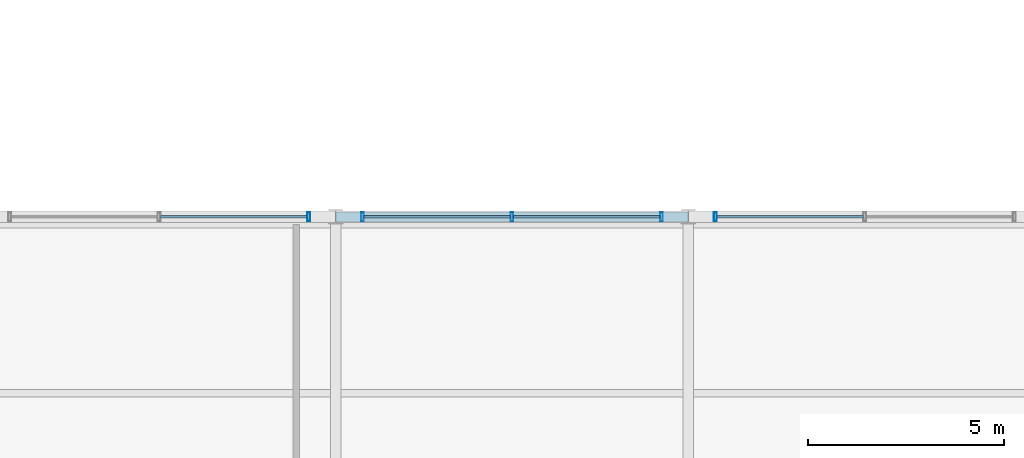
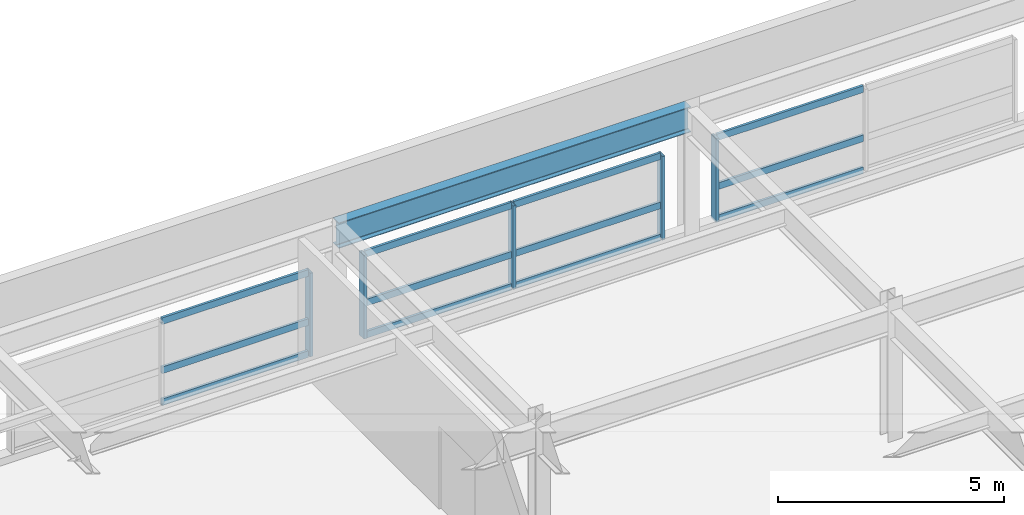
# One storey, part 62 of 108: 17 members, 1 beam, 3 elements without a shape of their own.
"""IFC4 building model written with IfcOpenShell, lengths in metres."""

from ifc_helpers import new_model, si_unit, direction, frame, origin, origin_2d, place, context, subcontext, project, spatial, hollow_rectangle, i_section, extrude, material, material_profile, profile_set, type_object, element, aggregate, save


model = new_model("IFC4")

# Units and contexts
model_context = context("Model", 3, precision=1e-05, world=origin(), true_north=direction((0.0, 1.0)))
body_context = subcontext(model_context, "Body", "Model", "MODEL_VIEW")
ifc_project = project(units=[si_unit("LENGTHUNIT", "METRE"), si_unit("AREAUNIT", "SQUARE_METRE"), si_unit("VOLUMEUNIT", "CUBIC_METRE"), si_unit("PLANEANGLEUNIT", "RADIAN"), si_unit("MASSUNIT", "GRAM", prefix="KILO")], contexts=[model_context])

# Site, building, storey
site_placement = place(None, origin())
site = spatial("IfcSite", under=ifc_project, at=site_placement, CompositionType="ELEMENT")
building_placement = place(site_placement, origin())
building = spatial("IfcBuilding", under=site, at=building_placement, Name="Kaldorvane Square Convention Centre", CompositionType="ELEMENT")
storey_placement = place(building_placement, frame((0.0, 0.0, 23.399993896484375)))
storey = spatial("IfcBuildingStorey", under=building, at=storey_placement, Name="L04", CompositionType="ELEMENT", Elevation=23.399993896484375)

# Beam
ifc_material_1 = material(Name="Steel ASTM A992 Gr. 50", Category="steel")
ifc_material_profile_1 = material_profile(ifc_material_1, i_section(OverallWidth=0.25439453125, OverallDepth=0.6880950927734375, WebThickness=0.0131072998046875, FlangeThickness=0.0211029052734375, FilletRadius=0.01519775390625, at=origin_2d()), Name="W27X102")
ifc_profile_set_1 = profile_set([ifc_material_profile_1], Name="Steel ASTM A992 Gr. 50")
beam_type = type_object("IfcBeamType", Name="BM-GR-W27X102", PredefinedType="BEAM", material=ifc_profile_set_1)
beam_placement = place(storey_placement, frame((147.0, 36.0, 3.1819000244140625), z_axis=(1.0, 0.0, 0.0), x_axis=(0.0, 1.0, 0.0)))
element("IfcBeam", 1, at=beam_placement, inside=storey, type_object=beam_type, Name="Primary Girder (L04)", PredefinedType="BEAM", context=body_context, shape_type="SweptSolid", body=[
    extrude(i_section(OverallWidth=0.25439453125, OverallDepth=0.6880950927734375, WebThickness=0.0131072998046875, FlangeThickness=0.0211029052734375, FilletRadius=0.01519775390625, at=origin_2d()), origin(), (0.0, 0.0, 1.0), 9.0),
])

# Curtain wall, member
ifc_material_2 = material(Name="Anodized Aluminum and Low-E Insulated Glazing", Category="aluminium")
curtain_wall_type = type_object("IfcCurtainWallType", Name="CW-PTS-FC-42", PredefinedType="USERDEFINED", material=ifc_material_2)
curtain_wall_1_placement = place(storey_placement, origin())
curtain_wall_1 = element("IfcCurtainWall", 2, at=curtain_wall_1_placement, inside=storey, type_object=curtain_wall_type, Name="Curtain Wall CW-09 (L04)", ObjectType="POINT SUPPORTED GLAZING", PredefinedType="USERDEFINED")
ifc_material_profile_2 = material_profile(ifc_material_2, hollow_rectangle(XDim=0.0749969482421875, YDim=0.220001220703125, WallThickness=0.003997802734375, at=origin_2d()), Name="CWM-220X75")
ifc_profile_set_2 = profile_set([ifc_material_profile_2], Name="Anodized Aluminum and Low-E Insulated Glazing")
member_type_1 = type_object("IfcMemberType", Name="CW-MUL-220", PredefinedType="MULLION", material=ifc_profile_set_2)
member_1_placement = place(storey_placement, frame((146.3125, 36.0, 0.1500091552734375), z_axis=(0.0, 0.0, 1.0), x_axis=(-1.0, 0.0, 0.0)))
member_1 = element("IfcMember", 3, at=member_1_placement, type_object=member_type_1, Name="CW-09 mullion 1", PredefinedType="MULLION", context=body_context, shape_type="SweptSolid", body=[
    extrude(hollow_rectangle(XDim=0.0749969482421875, YDim=0.220001220703125, WallThickness=0.003997802734375, at=origin_2d()), origin(), (0.0, 0.0, 1.0), 2.2599945068359375),
])

# Curtain wall, members
curtain_wall_2_placement = place(storey_placement, origin())
curtain_wall_2 = element("IfcCurtainWall", 4, at=curtain_wall_2_placement, inside=storey, type_object=curtain_wall_type, Name="Curtain Wall CW-09 (L04)", ObjectType="POINT SUPPORTED GLAZING", PredefinedType="USERDEFINED")
member_2_placement = place(storey_placement, frame((155.3125, 36.0, 0.1500091552734375), z_axis=(0.0, 0.0, 1.0), x_axis=(-1.0, 0.0, 0.0)))
member_2 = element("IfcMember", 5, at=member_2_placement, type_object=member_type_1, Name="CW-09 mullion 1", PredefinedType="MULLION", context=body_context, shape_type="SweptSolid", body=[
    extrude(hollow_rectangle(XDim=0.0749969482421875, YDim=0.220001220703125, WallThickness=0.003997802734375, at=origin_2d()), origin(), (0.0, 0.0, 1.0), 2.2599945068359375),
])
member_3_placement = place(storey_placement, frame((151.5, 36.0, 0.1500091552734375), z_axis=(0.0, 0.0, 1.0), x_axis=(-1.0, 0.0, 0.0)))
member_3 = element("IfcMember", 6, at=member_3_placement, type_object=member_type_1, Name="CW-09 mullion 2", PredefinedType="MULLION", context=body_context, shape_type="SweptSolid", body=[
    extrude(hollow_rectangle(XDim=0.0749969482421875, YDim=0.220001220703125, WallThickness=0.003997802734375, at=origin_2d()), origin(), (0.0, 0.0, 1.0), 2.2599945068359375),
])
member_4_placement = place(storey_placement, frame((147.6875, 36.0, 0.1500091552734375), z_axis=(0.0, 0.0, 1.0), x_axis=(-1.0, 0.0, 0.0)))
member_4 = element("IfcMember", 7, at=member_4_placement, type_object=member_type_1, Name="CW-09 mullion 3", PredefinedType="MULLION", context=body_context, shape_type="SweptSolid", body=[
    extrude(hollow_rectangle(XDim=0.0749969482421875, YDim=0.220001220703125, WallThickness=0.003997802734375, at=origin_2d()), origin(), (0.0, 0.0, 1.0), 2.2599945068359375),
])

# Curtain wall, member
curtain_wall_3_placement = place(storey_placement, origin())
curtain_wall_3 = element("IfcCurtainWall", 8, at=curtain_wall_3_placement, inside=storey, type_object=curtain_wall_type, Name="Curtain Wall CW-09 (L04)", ObjectType="POINT SUPPORTED GLAZING", PredefinedType="USERDEFINED")
member_5_placement = place(storey_placement, frame((156.6875, 36.0, 0.1500091552734375), z_axis=(0.0, 0.0, 1.0), x_axis=(-1.0, 0.0, 0.0)))
member_5 = element("IfcMember", 9, at=member_5_placement, type_object=member_type_1, Name="CW-09 mullion 3", PredefinedType="MULLION", context=body_context, shape_type="SweptSolid", body=[
    extrude(hollow_rectangle(XDim=0.0749969482421875, YDim=0.220001220703125, WallThickness=0.003997802734375, at=origin_2d()), origin(), (0.0, 0.0, 1.0), 2.2599945068359375),
])

# Member
ifc_material_profile_3 = material_profile(ifc_material_2, hollow_rectangle(XDim=0.06500244140625, YDim=0.17999267578125, WallThickness=0.0034942626953125, at=origin_2d()), Name="CWT-180X65")
ifc_profile_set_3 = profile_set([ifc_material_profile_3], Name="Anodized Aluminum and Low-E Insulated Glazing")
member_type_2 = type_object("IfcMemberType", Name="CW-TRN-180", PredefinedType="USERDEFINED", material=ifc_profile_set_3)
member_6_placement = place(storey_placement, frame((146.27499389648438, 36.0, 0.1825103759765625), z_axis=(-1.0, 0.0, 0.0), x_axis=(0.0, -1.0, 0.0)))
member_6 = element("IfcMember", 10, at=member_6_placement, type_object=member_type_2, Name="CW-09 transom 1.1", ObjectType="TRANSOM", PredefinedType="USERDEFINED", context=body_context, shape_type="SweptSolid", body=[
    extrude(hollow_rectangle(XDim=0.06500244140625, YDim=0.17999267578125, WallThickness=0.0034942626953125, at=origin_2d()), origin(), (0.0, 0.0, 1.0), 3.73748779296875),
])

member_7_placement = place(storey_placement, frame((146.27499389648438, 36.0, 1.0500030517578125), z_axis=(-1.0, 0.0, 0.0), x_axis=(0.0, -1.0, 0.0)))
member_7 = element("IfcMember", 11, at=member_7_placement, type_object=member_type_2, Name="CW-09 transom 1.2", ObjectType="TRANSOM", PredefinedType="USERDEFINED", context=body_context, shape_type="SweptSolid", body=[
    extrude(hollow_rectangle(XDim=0.06500244140625, YDim=0.17999267578125, WallThickness=0.0034942626953125, at=origin_2d()), origin(), (0.0, 0.0, 1.0), 3.73748779296875),
])

member_8_placement = place(storey_placement, frame((146.27499389648438, 36.0, 2.37750244140625), z_axis=(-1.0, 0.0, 0.0), x_axis=(0.0, -1.0, 0.0)))
member_8 = element("IfcMember", 12, at=member_8_placement, type_object=member_type_2, Name="CW-09 transom 1.3", ObjectType="TRANSOM", PredefinedType="USERDEFINED", context=body_context, shape_type="SweptSolid", body=[
    extrude(hollow_rectangle(XDim=0.06500244140625, YDim=0.17999267578125, WallThickness=0.0034942626953125, at=origin_2d()), origin(), (0.0, 0.0, 1.0), 3.73748779296875),
])

aggregate(curtain_wall_1, [member_1, member_6, member_7, member_8])

member_9_placement = place(storey_placement, frame((155.27499389648438, 36.0, 0.1825103759765625), z_axis=(-1.0, 0.0, 0.0), x_axis=(0.0, -1.0, 0.0)))
member_9 = element("IfcMember", 13, at=member_9_placement, type_object=member_type_2, Name="CW-09 transom 1.1", ObjectType="TRANSOM", PredefinedType="USERDEFINED", context=body_context, shape_type="SweptSolid", body=[
    extrude(hollow_rectangle(XDim=0.06500244140625, YDim=0.17999267578125, WallThickness=0.0034942626953125, at=origin_2d()), origin(), (0.0, 0.0, 1.0), 3.73748779296875),
])

member_10_placement = place(storey_placement, frame((155.27499389648438, 36.0, 1.0500030517578125), z_axis=(-1.0, 0.0, 0.0), x_axis=(0.0, -1.0, 0.0)))
member_10 = element("IfcMember", 14, at=member_10_placement, type_object=member_type_2, Name="CW-09 transom 1.2", ObjectType="TRANSOM", PredefinedType="USERDEFINED", context=body_context, shape_type="SweptSolid", body=[
    extrude(hollow_rectangle(XDim=0.06500244140625, YDim=0.17999267578125, WallThickness=0.0034942626953125, at=origin_2d()), origin(), (0.0, 0.0, 1.0), 3.73748779296875),
])

member_11_placement = place(storey_placement, frame((155.27499389648438, 36.0, 2.37750244140625), z_axis=(-1.0, 0.0, 0.0), x_axis=(0.0, -1.0, 0.0)))
member_11 = element("IfcMember", 15, at=member_11_placement, type_object=member_type_2, Name="CW-09 transom 1.3", ObjectType="TRANSOM", PredefinedType="USERDEFINED", context=body_context, shape_type="SweptSolid", body=[
    extrude(hollow_rectangle(XDim=0.06500244140625, YDim=0.17999267578125, WallThickness=0.0034942626953125, at=origin_2d()), origin(), (0.0, 0.0, 1.0), 3.73748779296875),
])

member_12_placement = place(storey_placement, frame((151.46249389648438, 36.0, 0.1825103759765625), z_axis=(-1.0, 0.0, 0.0), x_axis=(0.0, -1.0, 0.0)))
member_12 = element("IfcMember", 16, at=member_12_placement, type_object=member_type_2, Name="CW-09 transom 2.1", ObjectType="TRANSOM", PredefinedType="USERDEFINED", context=body_context, shape_type="SweptSolid", body=[
    extrude(hollow_rectangle(XDim=0.06500244140625, YDim=0.17999267578125, WallThickness=0.0034942626953125, at=origin_2d()), origin(), (0.0, 0.0, 1.0), 3.73748779296875),
])

member_13_placement = place(storey_placement, frame((151.46249389648438, 36.0, 1.0500030517578125), z_axis=(-1.0, 0.0, 0.0), x_axis=(0.0, -1.0, 0.0)))
member_13 = element("IfcMember", 17, at=member_13_placement, type_object=member_type_2, Name="CW-09 transom 2.2", ObjectType="TRANSOM", PredefinedType="USERDEFINED", context=body_context, shape_type="SweptSolid", body=[
    extrude(hollow_rectangle(XDim=0.06500244140625, YDim=0.17999267578125, WallThickness=0.0034942626953125, at=origin_2d()), origin(), (0.0, 0.0, 1.0), 3.73748779296875),
])

member_14_placement = place(storey_placement, frame((151.46249389648438, 36.0, 2.37750244140625), z_axis=(-1.0, 0.0, 0.0), x_axis=(0.0, -1.0, 0.0)))
member_14 = element("IfcMember", 18, at=member_14_placement, type_object=member_type_2, Name="CW-09 transom 2.3", ObjectType="TRANSOM", PredefinedType="USERDEFINED", context=body_context, shape_type="SweptSolid", body=[
    extrude(hollow_rectangle(XDim=0.06500244140625, YDim=0.17999267578125, WallThickness=0.0034942626953125, at=origin_2d()), origin(), (0.0, 0.0, 1.0), 3.73748779296875),
])

aggregate(curtain_wall_2, [member_2, member_3, member_4, member_9, member_10, member_11, member_12, member_13, member_14])

member_15_placement = place(storey_placement, frame((160.46249389648438, 36.0, 0.1825103759765625), z_axis=(-1.0, 0.0, 0.0), x_axis=(0.0, -1.0, 0.0)))
member_15 = element("IfcMember", 19, at=member_15_placement, type_object=member_type_2, Name="CW-09 transom 2.1", ObjectType="TRANSOM", PredefinedType="USERDEFINED", context=body_context, shape_type="SweptSolid", body=[
    extrude(hollow_rectangle(XDim=0.06500244140625, YDim=0.17999267578125, WallThickness=0.0034942626953125, at=origin_2d()), origin(), (0.0, 0.0, 1.0), 3.73748779296875),
])

member_16_placement = place(storey_placement, frame((160.46249389648438, 36.0, 1.0500030517578125), z_axis=(-1.0, 0.0, 0.0), x_axis=(0.0, -1.0, 0.0)))
member_16 = element("IfcMember", 20, at=member_16_placement, type_object=member_type_2, Name="CW-09 transom 2.2", ObjectType="TRANSOM", PredefinedType="USERDEFINED", context=body_context, shape_type="SweptSolid", body=[
    extrude(hollow_rectangle(XDim=0.06500244140625, YDim=0.17999267578125, WallThickness=0.0034942626953125, at=origin_2d()), origin(), (0.0, 0.0, 1.0), 3.73748779296875),
])

member_17_placement = place(storey_placement, frame((160.46249389648438, 36.0, 2.37750244140625), z_axis=(-1.0, 0.0, 0.0), x_axis=(0.0, -1.0, 0.0)))
member_17 = element("IfcMember", 21, at=member_17_placement, type_object=member_type_2, Name="CW-09 transom 2.3", ObjectType="TRANSOM", PredefinedType="USERDEFINED", context=body_context, shape_type="SweptSolid", body=[
    extrude(hollow_rectangle(XDim=0.06500244140625, YDim=0.17999267578125, WallThickness=0.0034942626953125, at=origin_2d()), origin(), (0.0, 0.0, 1.0), 3.73748779296875),
])

aggregate(curtain_wall_3, [member_5, member_15, member_16, member_17])

save(model, "model.ifc")
